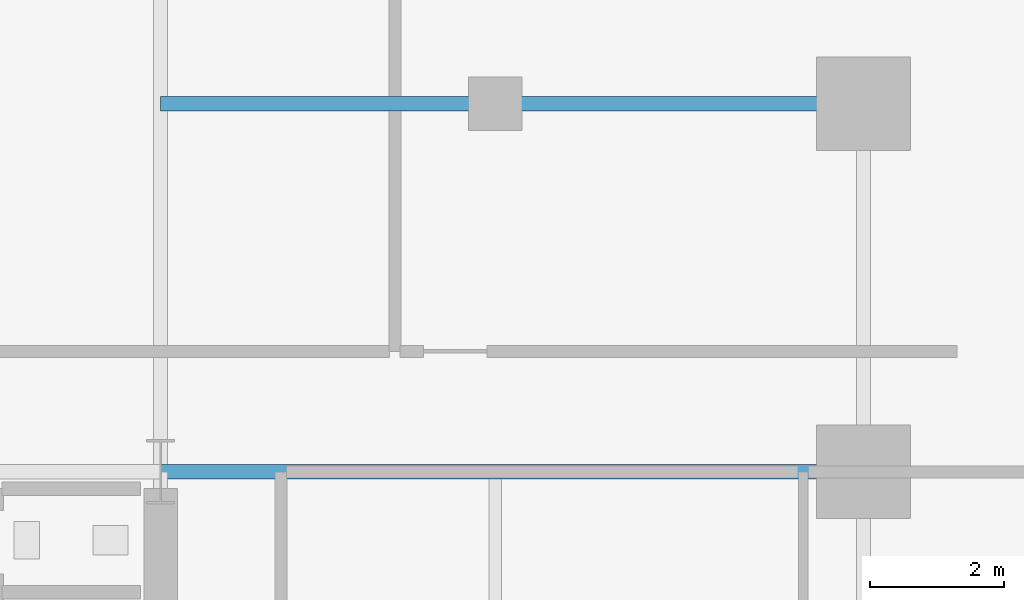
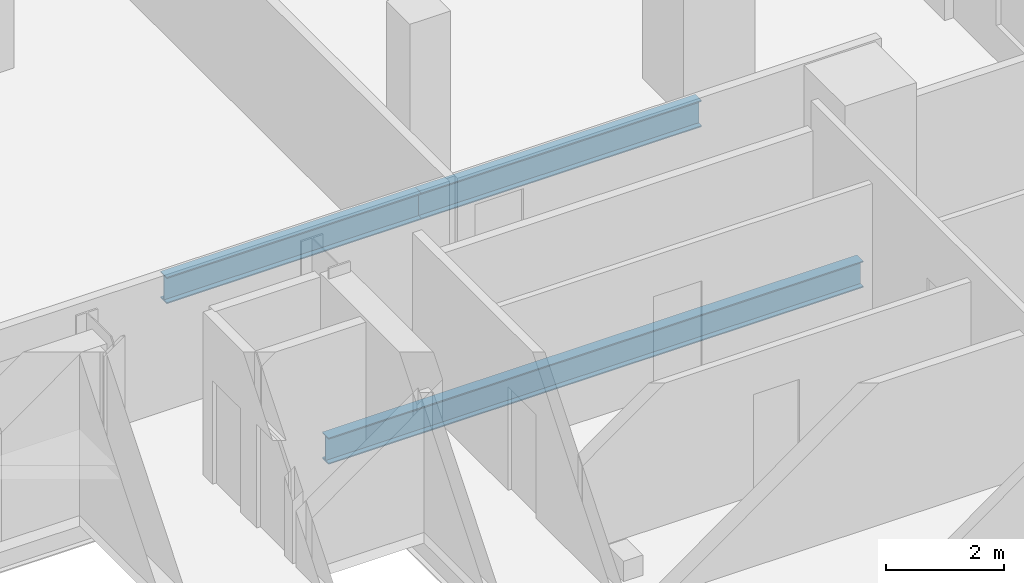
# One storey, part 14 of 23: 3 beams.
"""IFC4 building model written with IfcOpenShell, lengths in metres."""

from ifc_helpers import new_model, si_unit, direction, frame, origin, origin_2d, place, context, subcontext, project, spatial, i_section, extrude, material, material_profile, profile_set, type_object, element, save


model = new_model("IFC4")

# Units and contexts
model_context = context("Model", 3, precision=1e-05, world=origin(), true_north=direction((0.0, 1.0)))
body_context = subcontext(model_context, "Body", "Model", "MODEL_VIEW")
ifc_project = project(units=[si_unit("LENGTHUNIT", "METRE"), si_unit("AREAUNIT", "SQUARE_METRE"), si_unit("VOLUMEUNIT", "CUBIC_METRE"), si_unit("PLANEANGLEUNIT", "RADIAN"), si_unit("MASSUNIT", "GRAM", prefix="KILO")], contexts=[model_context])

# Site, building, storey
site_placement = place(None, origin())
site = spatial("IfcSite", under=ifc_project, at=site_placement, CompositionType="ELEMENT")
building_placement = place(site_placement, origin())
building = spatial("IfcBuilding", under=site, at=building_placement, Name="Barlavira Tower and Art Museum", CompositionType="ELEMENT")
storey_placement = place(building_placement, frame((0.0, 0.0, 75.60009765625)))
storey = spatial("IfcBuildingStorey", under=building, at=storey_placement, Name="L18", CompositionType="ELEMENT", Elevation=75.60009765625)

# Beams
ifc_material = material(Name="Steel S355", Category="steel")
ifc_material_profile = material_profile(ifc_material, i_section(OverallWidth=0.214111328125, OverallDepth=0.549072265625, WebThickness=0.0146484375, FlangeThickness=0.023681640625, at=origin_2d()), Name="W530x138.0")
ifc_profile_set = profile_set([ifc_material_profile], Name="Steel S355")
beam_type = type_object("IfcBeamType", Name="Zone 1 Primary Floor Girder W530x138 Steel S355", PredefinedType="BEAM", material=ifc_profile_set)
beam_1_placement = place(storey_placement, frame((6.5, 7.5, -0.49462890625), z_axis=(1.0, 0.0, 0.0), x_axis=(0.0, 1.0, 0.0)))
element("IfcBeam", 1, at=beam_1_placement, inside=storey, type_object=beam_type, Name="L18 Girder R-E2", PredefinedType="BEAM", context=body_context, shape_type="SweptSolid", body=[
    extrude(i_section(OverallWidth=0.214111328125, OverallDepth=0.549072265625, WebThickness=0.0146484375, FlangeThickness=0.023681640625, at=origin_2d()), origin(), (0.0, 0.0, 1.0), 10.5),
])
beam_2_placement = place(storey_placement, frame((6.5, 13.0, -0.49462890625), z_axis=(1.0, 0.0, 0.0), x_axis=(0.0, 1.0, 0.0)))
element("IfcBeam", 2, at=beam_2_placement, inside=storey, type_object=beam_type, Name="L18 Girder I-N3", PredefinedType="BEAM", context=body_context, shape_type="SweptSolid", body=[
    extrude(i_section(OverallWidth=0.214111328125, OverallDepth=0.549072265625, WebThickness=0.0146484375, FlangeThickness=0.023681640625, at=origin_2d()), origin(), (0.0, 0.0, 1.0), 5.0),
])
beam_3_placement = place(storey_placement, frame((11.5, 13.0, -0.49462890625), z_axis=(1.0, 0.0, 0.0), x_axis=(0.0, 1.0, 0.0)))
element("IfcBeam", 3, at=beam_3_placement, inside=storey, type_object=beam_type, Name="L18 Girder I-N4", PredefinedType="BEAM", context=body_context, shape_type="SweptSolid", body=[
    extrude(i_section(OverallWidth=0.214111328125, OverallDepth=0.549072265625, WebThickness=0.0146484375, FlangeThickness=0.023681640625, at=origin_2d()), origin(), (0.0, 0.0, 1.0), 5.5),
])

save(model, "model.ifc")
